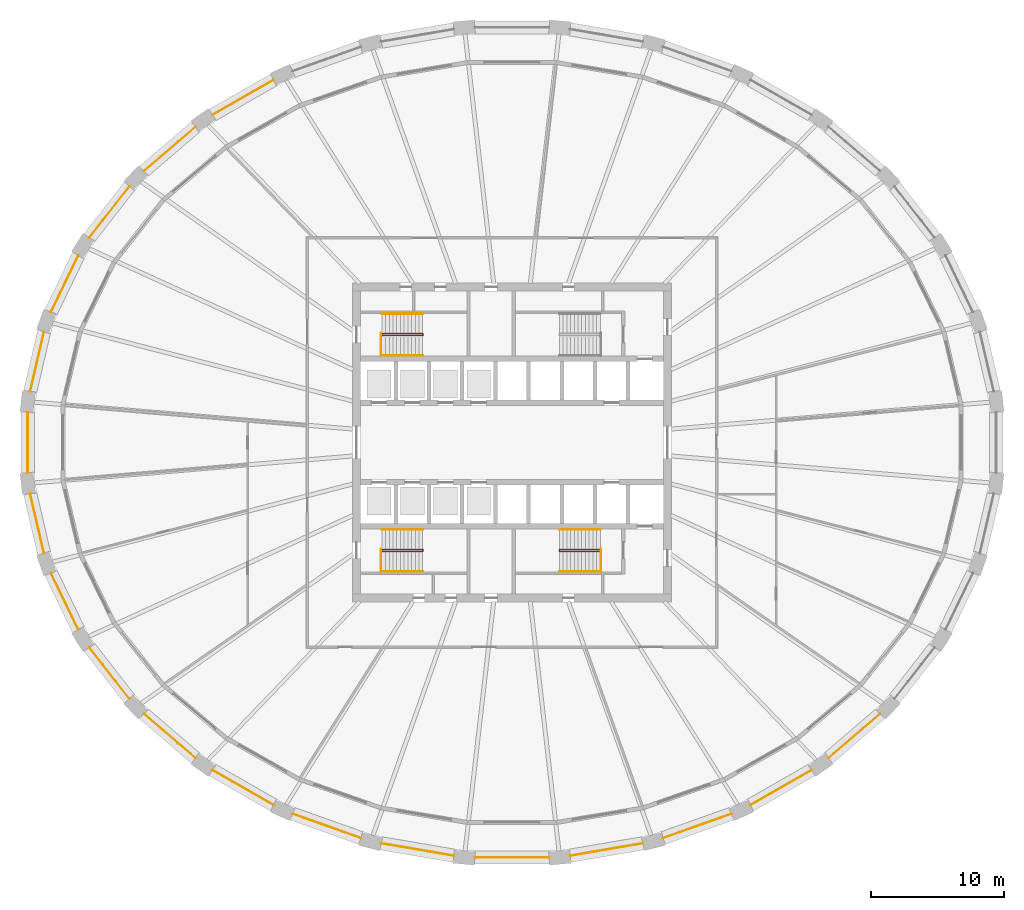
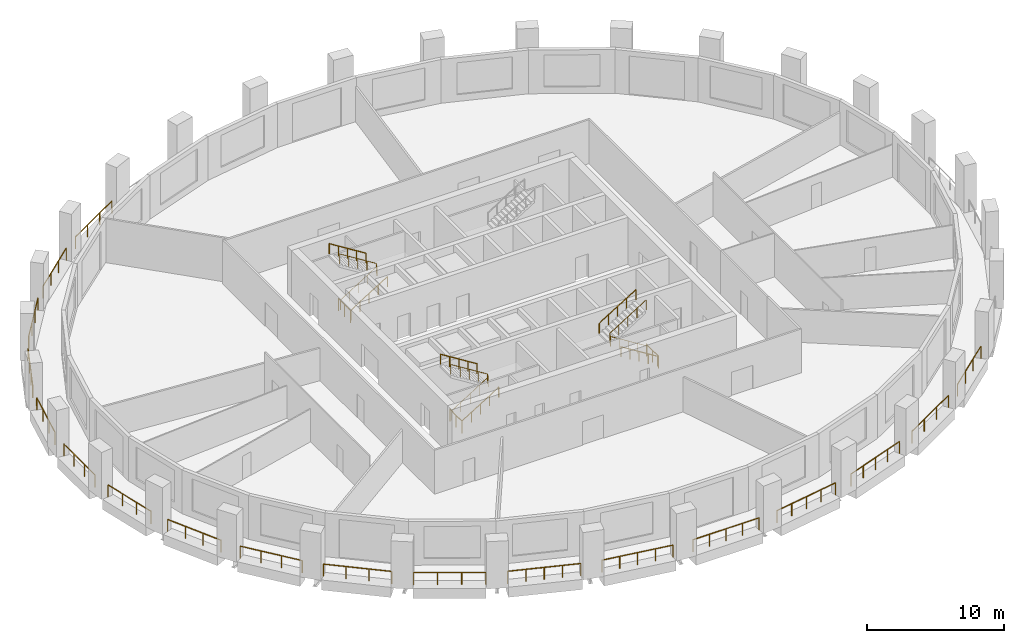
# One storey, part 9 of 11: 30 railings.
"""IFC4 building model written with IfcOpenShell, lengths in metres."""

from ifc_helpers import new_model, si_unit, direction, frame, origin, origin_2d, place, context, subcontext, project, spatial, circle, extrude, material, type_object, element, save


model = new_model("IFC4")

# Units and contexts
model_context = context("Model", 3, precision=1e-05, world=origin(), true_north=direction((0.0, 1.0)))
body_context = subcontext(model_context, "Body", "Model", "MODEL_VIEW")
ifc_project = project(units=[si_unit("LENGTHUNIT", "METRE"), si_unit("AREAUNIT", "SQUARE_METRE"), si_unit("VOLUMEUNIT", "CUBIC_METRE"), si_unit("PLANEANGLEUNIT", "RADIAN"), si_unit("MASSUNIT", "GRAM", prefix="KILO")], contexts=[model_context])

# Site, building, storey
site_placement = place(None, origin())
site = spatial("IfcSite", under=ifc_project, at=site_placement, CompositionType="ELEMENT")
building_placement = place(site_placement, origin())
building = spatial("IfcBuilding", under=site, at=building_placement, Name="Halqa Exchange Tower", CompositionType="ELEMENT")
storey_placement = place(building_placement, frame((0.0, 0.0, 78.10009765625)))
storey = spatial("IfcBuildingStorey", under=building, at=storey_placement, Name="L17", CompositionType="ELEMENT", Elevation=78.10009765625)

# Railings
ifc_material = material(Name="Stainless steel", Category="steel")
railing_type_1 = type_object("IfcRailingType", Name="Guard 1100 stainless steel", PredefinedType="GUARDRAIL", material=ifc_material)
railing_1_placement = place(storey_placement, frame((-17.962158203125, 27.29345703125, 0.0)))
element("IfcRailing", 1, at=railing_1_placement, inside=storey, type_object=railing_type_1, Name="Loggia guard 11", PredefinedType="GUARDRAIL", context=body_context, shape_type="SweptSolid", body=[
    extrude(circle(Radius=0.02392578125, at=origin_2d()), frame((0.0, 0.0, 1.076171875), z_axis=(-0.867759080411, -0.496985088674, 0.0), x_axis=(0.496985088674, -0.867759080411, 0.0)), (0.0, 0.0, 1.0), 5.28076171875),
    extrude(circle(Radius=0.02099609375, at=origin_2d()), origin(), (0.0, 0.0, 1.0), 1.052001953125),
    extrude(circle(Radius=0.02099609375, at=origin_2d()), frame((-1.527587890625, -0.874755859375, 0.0)), (0.0, 0.0, 1.0), 1.052001953125),
    extrude(circle(Radius=0.02099609375, at=origin_2d()), frame((-3.054931640625, -1.749755859375, 0.0)), (0.0, 0.0, 1.0), 1.052001953125),
    extrude(circle(Radius=0.02099609375, at=origin_2d()), frame((-4.58251953125, -2.62451171875, 0.0)), (0.0, 0.0, 1.0), 1.052001953125),
])
railing_2_placement = place(storey_placement, frame((-23.84619140625, 23.750732421875, 0.0)))
element("IfcRailing", 2, at=railing_2_placement, inside=storey, type_object=railing_type_1, Name="Loggia guard 12", PredefinedType="GUARDRAIL", context=body_context, shape_type="SweptSolid", body=[
    extrude(circle(Radius=0.02392578125, at=origin_2d()), frame((0.0, 0.0, 1.076171875), z_axis=(-0.759270150969, -0.650775566419, 0.0), x_axis=(0.650775566419, -0.759270150969, 0.0)), (0.0, 0.0, 1.0), 5.087890625),
    extrude(circle(Radius=0.02099609375, at=origin_2d()), origin(), (0.0, 0.0, 1.0), 1.052001953125),
    extrude(circle(Radius=0.02099609375, at=origin_2d()), frame((-1.28759765625, -1.103759765625, 0.0)), (0.0, 0.0, 1.0), 1.052001953125),
    extrude(circle(Radius=0.02099609375, at=origin_2d()), frame((-2.575439453125, -2.207275390625, 0.0)), (0.0, 0.0, 1.0), 1.052001953125),
    extrude(circle(Radius=0.02099609375, at=origin_2d()), frame((-3.863037109375, -3.31103515625, 0.0)), (0.0, 0.0, 1.0), 1.052001953125),
])
railing_3_placement = place(storey_placement, frame((-28.80859375, 19.2880859375, 0.0)))
element("IfcRailing", 3, at=railing_3_placement, inside=storey, type_object=railing_type_1, Name="Loggia guard 13", PredefinedType="GUARDRAIL", context=body_context, shape_type="SweptSolid", body=[
    extrude(circle(Radius=0.02392578125, at=origin_2d()), frame((0.0, 0.0, 1.076171875), z_axis=(-0.614773449853, -0.788703750059, 0.0), x_axis=(0.788703750059, -0.614773449853, 0.0)), (0.0, 0.0, 1.0), 4.888916015625),
    extrude(circle(Radius=0.02099609375, at=origin_2d()), origin(), (0.0, 0.0, 1.0), 1.052001953125),
    extrude(circle(Radius=0.02099609375, at=origin_2d()), frame((-1.001953125, -1.285400390625, 0.0)), (0.0, 0.0, 1.0), 1.052001953125),
    extrude(circle(Radius=0.02099609375, at=origin_2d()), frame((-2.003662109375, -2.570556640625, 0.0)), (0.0, 0.0, 1.0), 1.052001953125),
    extrude(circle(Radius=0.02099609375, at=origin_2d()), frame((-3.005615234375, -3.85595703125, 0.0)), (0.0, 0.0, 1.0), 1.052001953125),
])
railing_4_placement = place(storey_placement, frame((-32.654296875, 14.080810546875, 0.0)))
element("IfcRailing", 4, at=railing_4_placement, inside=storey, type_object=railing_type_1, Name="Loggia guard 14", PredefinedType="GUARDRAIL", context=body_context, shape_type="SweptSolid", body=[
    extrude(circle(Radius=0.02392578125, at=origin_2d()), frame((0.0, 0.0, 1.076171875), z_axis=(-0.435121098841, -0.900371939447, 0.0), x_axis=(0.900371939447, -0.435121098841, 0.0)), (0.0, 0.0, 1.0), 4.7158203125),
    extrude(circle(Radius=0.02099609375, at=origin_2d()), origin(), (0.0, 0.0, 1.0), 1.052001953125),
    extrude(circle(Radius=0.02099609375, at=origin_2d()), frame((-0.68408203125, -1.415283203125, 0.0)), (0.0, 0.0, 1.0), 1.052001953125),
    extrude(circle(Radius=0.02099609375, at=origin_2d()), frame((-1.367919921875, -2.830810546875, 0.0)), (0.0, 0.0, 1.0), 1.052001953125),
    extrude(circle(Radius=0.02099609375, at=origin_2d()), frame((-2.052001953125, -4.24609375, 0.0)), (0.0, 0.0, 1.0), 1.052001953125),
])
railing_5_placement = place(storey_placement, frame((-35.235107421875, 8.335205078125, 0.0)))
element("IfcRailing", 5, at=railing_5_placement, inside=storey, type_object=railing_type_1, Name="Loggia guard 15", PredefinedType="GUARDRAIL", context=body_context, shape_type="SweptSolid", body=[
    extrude(circle(Radius=0.02392578125, at=origin_2d()), frame((0.0, 0.0, 1.076171875), z_axis=(-0.226069418953, -0.974111193763, 0.0), x_axis=(0.974111193763, -0.226069418953, 0.0)), (0.0, 0.0, 1.0), 4.59716796875),
    extrude(circle(Radius=0.02099609375, at=origin_2d()), origin(), (0.0, 0.0, 1.0), 1.052001953125),
    extrude(circle(Radius=0.02099609375, at=origin_2d()), frame((-0.346435546875, -1.49267578125, 0.0)), (0.0, 0.0, 1.0), 1.052001953125),
    extrude(circle(Radius=0.02099609375, at=origin_2d()), frame((-0.69287109375, -2.985595703125, 0.0)), (0.0, 0.0, 1.0), 1.052001953125),
    extrude(circle(Radius=0.02099609375, at=origin_2d()), frame((-1.039306640625, -4.478271484375, 0.0)), (0.0, 0.0, 1.0), 1.052001953125),
])
railing_6_placement = place(storey_placement, frame((-36.455078125, 2.277587890625, 0.0)))
element("IfcRailing", 6, at=railing_6_placement, inside=storey, type_object=railing_type_1, Name="Loggia guard 16", PredefinedType="GUARDRAIL", context=body_context, shape_type="SweptSolid", body=[
    extrude(circle(Radius=0.02392578125, at=origin_2d()), frame((0.0, 0.0, 1.076171875), z_axis=(0.0, -1.0, 0.0), x_axis=(1.0, 0.0, 0.0)), (0.0, 0.0, 1.0), 4.55517578125),
    extrude(circle(Radius=0.02099609375, at=origin_2d()), origin(), (0.0, 0.0, 1.0), 1.052001953125),
    extrude(circle(Radius=0.02099609375, at=origin_2d()), frame((0.0, -1.518310546875, 0.0)), (0.0, 0.0, 1.0), 1.052001953125),
    extrude(circle(Radius=0.02099609375, at=origin_2d()), frame((0.0, -3.036865234375, 0.0)), (0.0, 0.0, 1.0), 1.052001953125),
    extrude(circle(Radius=0.02099609375, at=origin_2d()), frame((0.0, -4.55517578125, 0.0)), (0.0, 0.0, 1.0), 1.052001953125),
])
railing_7_placement = place(storey_placement, frame((-36.2744140625, -3.85693359375, 0.0)))
element("IfcRailing", 7, at=railing_7_placement, inside=storey, type_object=railing_type_1, Name="Loggia guard 17", PredefinedType="GUARDRAIL", context=body_context, shape_type="SweptSolid", body=[
    extrude(circle(Radius=0.02392578125, at=origin_2d()), frame((0.0, 0.0, 1.076171875), z_axis=(0.226069418953, -0.974111193763, 0.0), x_axis=(0.974111193763, 0.226069418953, 0.0)), (0.0, 0.0, 1.0), 4.59716796875),
    extrude(circle(Radius=0.02099609375, at=origin_2d()), origin(), (0.0, 0.0, 1.0), 1.052001953125),
    extrude(circle(Radius=0.02099609375, at=origin_2d()), frame((0.346435546875, -1.49267578125, 0.0)), (0.0, 0.0, 1.0), 1.052001953125),
    extrude(circle(Radius=0.02099609375, at=origin_2d()), frame((0.69287109375, -2.985595703125, 0.0)), (0.0, 0.0, 1.0), 1.052001953125),
    extrude(circle(Radius=0.02099609375, at=origin_2d()), frame((1.039306640625, -4.478271484375, 0.0)), (0.0, 0.0, 1.0), 1.052001953125),
])
railing_8_placement = place(storey_placement, frame((-34.706298828125, -9.834716796875, 0.0)))
element("IfcRailing", 8, at=railing_8_placement, inside=storey, type_object=railing_type_1, Name="Loggia guard 18", PredefinedType="GUARDRAIL", context=body_context, shape_type="SweptSolid", body=[
    extrude(circle(Radius=0.02392578125, at=origin_2d()), frame((0.0, 0.0, 1.076171875), z_axis=(0.435121098841, -0.900371939447, 0.0), x_axis=(0.900371939447, 0.435121098841, 0.0)), (0.0, 0.0, 1.0), 4.7158203125),
    extrude(circle(Radius=0.02099609375, at=origin_2d()), origin(), (0.0, 0.0, 1.0), 1.052001953125),
    extrude(circle(Radius=0.02099609375, at=origin_2d()), frame((0.68408203125, -1.415283203125, 0.0)), (0.0, 0.0, 1.0), 1.052001953125),
    extrude(circle(Radius=0.02099609375, at=origin_2d()), frame((1.367919921875, -2.830810546875, 0.0)), (0.0, 0.0, 1.0), 1.052001953125),
    extrude(circle(Radius=0.02099609375, at=origin_2d()), frame((2.052001953125, -4.24609375, 0.0)), (0.0, 0.0, 1.0), 1.052001953125),
])
railing_9_placement = place(storey_placement, frame((-31.814208984375, -15.43212890625, 0.0)))
element("IfcRailing", 9, at=railing_9_placement, inside=storey, type_object=railing_type_1, Name="Loggia guard 19", PredefinedType="GUARDRAIL", context=body_context, shape_type="SweptSolid", body=[
    extrude(circle(Radius=0.02392578125, at=origin_2d()), frame((0.0, 0.0, 1.076171875), z_axis=(0.614773449853, -0.788703750059, 0.0), x_axis=(0.788703750059, 0.614773449853, 0.0)), (0.0, 0.0, 1.0), 4.888916015625),
    extrude(circle(Radius=0.02099609375, at=origin_2d()), origin(), (0.0, 0.0, 1.0), 1.052001953125),
    extrude(circle(Radius=0.02099609375, at=origin_2d()), frame((1.001953125, -1.285400390625, 0.0)), (0.0, 0.0, 1.0), 1.052001953125),
    extrude(circle(Radius=0.02099609375, at=origin_2d()), frame((2.003662109375, -2.570556640625, 0.0)), (0.0, 0.0, 1.0), 1.052001953125),
    extrude(circle(Radius=0.02099609375, at=origin_2d()), frame((3.005615234375, -3.85595703125, 0.0)), (0.0, 0.0, 1.0), 1.052001953125),
])
railing_10_placement = place(storey_placement, frame((-27.709228515625, -20.439697265625, 0.0)))
element("IfcRailing", 10, at=railing_10_placement, inside=storey, type_object=railing_type_1, Name="Loggia guard 20", PredefinedType="GUARDRAIL", context=body_context, shape_type="SweptSolid", body=[
    extrude(circle(Radius=0.02392578125, at=origin_2d()), frame((0.0, 0.0, 1.076171875), z_axis=(0.759270150969, -0.650775566419, 0.0), x_axis=(0.650775566419, 0.759270150969, 0.0)), (0.0, 0.0, 1.0), 5.087890625),
    extrude(circle(Radius=0.02099609375, at=origin_2d()), origin(), (0.0, 0.0, 1.0), 1.052001953125),
    extrude(circle(Radius=0.02099609375, at=origin_2d()), frame((1.28759765625, -1.103759765625, 0.0)), (0.0, 0.0, 1.0), 1.052001953125),
    extrude(circle(Radius=0.02099609375, at=origin_2d()), frame((2.575439453125, -2.207275390625, 0.0)), (0.0, 0.0, 1.0), 1.052001953125),
    extrude(circle(Radius=0.02099609375, at=origin_2d()), frame((3.863037109375, -3.31103515625, 0.0)), (0.0, 0.0, 1.0), 1.052001953125),
])
railing_11_placement = place(storey_placement, frame((-22.544677734375, -24.6689453125, 0.0)))
element("IfcRailing", 11, at=railing_11_placement, inside=storey, type_object=railing_type_1, Name="Loggia guard 21", PredefinedType="GUARDRAIL", context=body_context, shape_type="SweptSolid", body=[
    extrude(circle(Radius=0.02392578125, at=origin_2d()), frame((0.0, 0.0, 1.076171875), z_axis=(0.867759080411, -0.496985088674, 0.0), x_axis=(0.496985088674, 0.867759080411, 0.0)), (0.0, 0.0, 1.0), 5.28076171875),
    extrude(circle(Radius=0.02099609375, at=origin_2d()), origin(), (0.0, 0.0, 1.0), 1.052001953125),
    extrude(circle(Radius=0.02099609375, at=origin_2d()), frame((1.527587890625, -0.874755859375, 0.0)), (0.0, 0.0, 1.0), 1.052001953125),
    extrude(circle(Radius=0.02099609375, at=origin_2d()), frame((3.054931640625, -1.749755859375, 0.0)), (0.0, 0.0, 1.0), 1.052001953125),
    extrude(circle(Radius=0.02099609375, at=origin_2d()), frame((4.58251953125, -2.62451171875, 0.0)), (0.0, 0.0, 1.0), 1.052001953125),
])
railing_12_placement = place(storey_placement, frame((-16.51416015625, -27.958740234375, 0.0)))
element("IfcRailing", 12, at=railing_12_placement, inside=storey, type_object=railing_type_1, Name="Loggia guard 22", PredefinedType="GUARDRAIL", context=body_context, shape_type="SweptSolid", body=[
    extrude(circle(Radius=0.02392578125, at=origin_2d()), frame((0.0, 0.0, 1.076171875), z_axis=(0.94237481019, -0.334558988998, 0.0), x_axis=(0.334558988998, 0.94237481019, 0.0)), (0.0, 0.0, 1.0), 5.440185546875),
    extrude(circle(Radius=0.02099609375, at=origin_2d()), origin(), (0.0, 0.0, 1.0), 1.052001953125),
    extrude(circle(Radius=0.02099609375, at=origin_2d()), frame((1.28173828125, -0.455078125, 0.0)), (0.0, 0.0, 1.0), 1.052001953125),
    extrude(circle(Radius=0.02099609375, at=origin_2d()), frame((2.5634765625, -0.91015625, 0.0)), (0.0, 0.0, 1.0), 1.052001953125),
    extrude(circle(Radius=0.02099609375, at=origin_2d()), frame((3.844970703125, -1.364990234375, 0.0)), (0.0, 0.0, 1.0), 1.052001953125),
    extrude(circle(Radius=0.02099609375, at=origin_2d()), frame((5.126708984375, -1.820068359375, 0.0)), (0.0, 0.0, 1.0), 1.052001953125),
])
railing_13_placement = place(storey_placement, frame((-9.844970703125, -30.180908203125, 0.0)))
element("IfcRailing", 13, at=railing_13_placement, inside=storey, type_object=railing_type_1, Name="Loggia guard 23", PredefinedType="GUARDRAIL", context=body_context, shape_type="SweptSolid", body=[
    extrude(circle(Radius=0.02392578125, at=origin_2d()), frame((0.0, 0.0, 1.076171875), z_axis=(0.985775416456, -0.168067927667, 0.0), x_axis=(0.168067927667, 0.985775416456, 0.0)), (0.0, 0.0, 1.0), 5.544677734375),
    extrude(circle(Radius=0.02099609375, at=origin_2d()), origin(), (0.0, 0.0, 1.0), 1.052001953125),
    extrude(circle(Radius=0.02099609375, at=origin_2d()), frame((1.366455078125, -0.23291015625, 0.0)), (0.0, 0.0, 1.0), 1.052001953125),
    extrude(circle(Radius=0.02099609375, at=origin_2d()), frame((2.73291015625, -0.4658203125, 0.0)), (0.0, 0.0, 1.0), 1.052001953125),
    extrude(circle(Radius=0.02099609375, at=origin_2d()), frame((4.099365234375, -0.698974609375, 0.0)), (0.0, 0.0, 1.0), 1.052001953125),
    extrude(circle(Radius=0.02099609375, at=origin_2d()), frame((5.4658203125, -0.931884765625, 0.0)), (0.0, 0.0, 1.0), 1.052001953125),
])
railing_14_placement = place(storey_placement, frame((-2.79052734375, -31.247314453125, 0.0)))
element("IfcRailing", 14, at=railing_14_placement, inside=storey, type_object=railing_type_1, Name="Loggia guard 24", PredefinedType="GUARDRAIL", context=body_context, shape_type="SweptSolid", body=[
    extrude(circle(Radius=0.02392578125, at=origin_2d()), frame((0.0, 0.0, 1.076171875), z_axis=(1.0, 0.0, 0.0), x_axis=(0.0, 1.0, 0.0)), (0.0, 0.0, 1.0), 5.5810546875),
    extrude(circle(Radius=0.02099609375, at=origin_2d()), origin(), (0.0, 0.0, 1.0), 1.052001953125),
    extrude(circle(Radius=0.02099609375, at=origin_2d()), frame((1.395263671875, 0.0, 0.0)), (0.0, 0.0, 1.0), 1.052001953125),
    extrude(circle(Radius=0.02099609375, at=origin_2d()), frame((2.79052734375, 0.0, 0.0)), (0.0, 0.0, 1.0), 1.052001953125),
    extrude(circle(Radius=0.02099609375, at=origin_2d()), frame((4.185791015625, 0.0, 0.0)), (0.0, 0.0, 1.0), 1.052001953125),
    extrude(circle(Radius=0.02099609375, at=origin_2d()), frame((5.5810546875, 0.0, 0.0)), (0.0, 0.0, 1.0), 1.052001953125),
])
railing_15_placement = place(storey_placement, frame((4.379150390625, -31.11279296875, 0.0)))
element("IfcRailing", 15, at=railing_15_placement, inside=storey, type_object=railing_type_1, Name="Loggia guard 25", PredefinedType="GUARDRAIL", context=body_context, shape_type="SweptSolid", body=[
    extrude(circle(Radius=0.02392578125, at=origin_2d()), frame((0.0, 0.0, 1.076171875), z_axis=(0.985775416456, 0.168067927667, 0.0), x_axis=(-0.168067927667, 0.985775416456, 0.0)), (0.0, 0.0, 1.0), 5.544677734375),
    extrude(circle(Radius=0.02099609375, at=origin_2d()), origin(), (0.0, 0.0, 1.0), 1.052001953125),
    extrude(circle(Radius=0.02099609375, at=origin_2d()), frame((1.366455078125, 0.23291015625, 0.0)), (0.0, 0.0, 1.0), 1.052001953125),
    extrude(circle(Radius=0.02099609375, at=origin_2d()), frame((2.73291015625, 0.4658203125, 0.0)), (0.0, 0.0, 1.0), 1.052001953125),
    extrude(circle(Radius=0.02099609375, at=origin_2d()), frame((4.099365234375, 0.698974609375, 0.0)), (0.0, 0.0, 1.0), 1.052001953125),
    extrude(circle(Radius=0.02099609375, at=origin_2d()), frame((5.4658203125, 0.931884765625, 0.0)), (0.0, 0.0, 1.0), 1.052001953125),
])
railing_16_placement = place(storey_placement, frame((11.387451171875, -29.77880859375, 0.0)))
element("IfcRailing", 16, at=railing_16_placement, inside=storey, type_object=railing_type_1, Name="Loggia guard 26", PredefinedType="GUARDRAIL", context=body_context, shape_type="SweptSolid", body=[
    extrude(circle(Radius=0.02392578125, at=origin_2d()), frame((0.0, 0.0, 1.076171875), z_axis=(0.94237481019, 0.334558988998, 0.0), x_axis=(-0.334558988998, 0.94237481019, 0.0)), (0.0, 0.0, 1.0), 5.440185546875),
    extrude(circle(Radius=0.02099609375, at=origin_2d()), origin(), (0.0, 0.0, 1.0), 1.052001953125),
    extrude(circle(Radius=0.02099609375, at=origin_2d()), frame((1.28173828125, 0.455078125, 0.0)), (0.0, 0.0, 1.0), 1.052001953125),
    extrude(circle(Radius=0.02099609375, at=origin_2d()), frame((2.5634765625, 0.91015625, 0.0)), (0.0, 0.0, 1.0), 1.052001953125),
    extrude(circle(Radius=0.02099609375, at=origin_2d()), frame((3.844970703125, 1.364990234375, 0.0)), (0.0, 0.0, 1.0), 1.052001953125),
    extrude(circle(Radius=0.02099609375, at=origin_2d()), frame((5.126708984375, 1.820068359375, 0.0)), (0.0, 0.0, 1.0), 1.052001953125),
])
railing_17_placement = place(storey_placement, frame((17.962158203125, -27.29345703125, 0.0)))
element("IfcRailing", 17, at=railing_17_placement, inside=storey, type_object=railing_type_1, Name="Loggia guard 27", PredefinedType="GUARDRAIL", context=body_context, shape_type="SweptSolid", body=[
    extrude(circle(Radius=0.02392578125, at=origin_2d()), frame((0.0, 0.0, 1.076171875), z_axis=(0.867759080411, 0.496985088674, 0.0), x_axis=(-0.496985088674, 0.867759080411, 0.0)), (0.0, 0.0, 1.0), 5.28076171875),
    extrude(circle(Radius=0.02099609375, at=origin_2d()), origin(), (0.0, 0.0, 1.0), 1.052001953125),
    extrude(circle(Radius=0.02099609375, at=origin_2d()), frame((1.527587890625, 0.874755859375, 0.0)), (0.0, 0.0, 1.0), 1.052001953125),
    extrude(circle(Radius=0.02099609375, at=origin_2d()), frame((3.054931640625, 1.749755859375, 0.0)), (0.0, 0.0, 1.0), 1.052001953125),
    extrude(circle(Radius=0.02099609375, at=origin_2d()), frame((4.58251953125, 2.62451171875, 0.0)), (0.0, 0.0, 1.0), 1.052001953125),
])
railing_18_placement = place(storey_placement, frame((23.84619140625, -23.750732421875, 0.0)))
element("IfcRailing", 18, at=railing_18_placement, inside=storey, type_object=railing_type_1, Name="Loggia guard 28", PredefinedType="GUARDRAIL", context=body_context, shape_type="SweptSolid", body=[
    extrude(circle(Radius=0.02392578125, at=origin_2d()), frame((0.0, 0.0, 1.076171875), z_axis=(0.759270150969, 0.650775566419, 0.0), x_axis=(-0.650775566419, 0.759270150969, 0.0)), (0.0, 0.0, 1.0), 5.087890625),
    extrude(circle(Radius=0.02099609375, at=origin_2d()), origin(), (0.0, 0.0, 1.0), 1.052001953125),
    extrude(circle(Radius=0.02099609375, at=origin_2d()), frame((1.28759765625, 1.103759765625, 0.0)), (0.0, 0.0, 1.0), 1.052001953125),
    extrude(circle(Radius=0.02099609375, at=origin_2d()), frame((2.575439453125, 2.207275390625, 0.0)), (0.0, 0.0, 1.0), 1.052001953125),
    extrude(circle(Radius=0.02099609375, at=origin_2d()), frame((3.863037109375, 3.31103515625, 0.0)), (0.0, 0.0, 1.0), 1.052001953125),
])
railing_type_2 = type_object("IfcRailingType", Name="Stair handrail 900", PredefinedType="HANDRAIL", material=ifc_material)
railing_19_placement = place(storey_placement, frame((-9.800048828125, 8.06005859375, 0.1748046875)))
element("IfcRailing", 19, at=railing_19_placement, inside=storey, type_object=railing_type_2, Name="Handrail ST1.1", PredefinedType="HANDRAIL", context=body_context, shape_type="SweptSolid", body=[
    extrude(circle(Radius=0.02392578125, at=origin_2d()), frame((0.0, 0.0, 0.8759765625), z_axis=(0.847998304005, 0.0, 0.529998940003), x_axis=(0.0, 1.0, 0.0)), (0.0, 0.0, 1.0), 3.632080078125),
    extrude(circle(Radius=0.02392578125, at=origin_2d()), frame((3.080078125, 0.0, 2.80078125), z_axis=(0.0, 0.595870227118, 0.803080738428), x_axis=(-1.0, 0.0, 0.0)), (0.0, 0.0, 1.0), 0.218017578125),
    extrude(circle(Radius=0.02392578125, at=origin_2d()), frame((3.080078125, 0.1298828125, 2.97607421875), z_axis=(-0.847998304005, 0.0, 0.529998940003), x_axis=(0.0, -1.0, 0.0)), (0.0, 0.0, 1.0), 3.632080078125),
    extrude(circle(Radius=0.02099609375, at=origin_2d()), origin(), (0.0, 0.0, 1.0), 0.851806640625),
    extrude(circle(Radius=0.02099609375, at=origin_2d()), frame((0.77001953125, 0.0, 0.481201171875)), (0.0, 0.0, 1.0), 0.851806640625),
    extrude(circle(Radius=0.02099609375, at=origin_2d()), frame((1.5400390625, 0.0, 0.96240234375)), (0.0, 0.0, 1.0), 0.851806640625),
    extrude(circle(Radius=0.02099609375, at=origin_2d()), frame((2.31005859375, 0.0, 1.44384765625)), (0.0, 0.0, 1.0), 0.851806640625),
    extrude(circle(Radius=0.02099609375, at=origin_2d()), frame((3.080078125, 0.0, 1.925048828125)), (0.0, 0.0, 1.0), 0.851806640625),
    extrude(circle(Radius=0.02099609375, at=origin_2d()), frame((3.080078125, 0.1298828125, 2.10009765625)), (0.0, 0.0, 1.0), 0.851806640625),
    extrude(circle(Radius=0.02099609375, at=origin_2d()), frame((2.31005859375, 0.1298828125, 2.581298828125)), (0.0, 0.0, 1.0), 0.851806640625),
    extrude(circle(Radius=0.02099609375, at=origin_2d()), frame((1.5400390625, 0.1298828125, 3.0625)), (0.0, 0.0, 1.0), 0.851806640625),
    extrude(circle(Radius=0.02099609375, at=origin_2d()), frame((0.77001953125, 0.1298828125, 3.5439453125)), (0.0, 0.0, 1.0), 0.851806640625),
    extrude(circle(Radius=0.02099609375, at=origin_2d()), frame((0.0, 0.1298828125, 4.025146484375)), (0.0, 0.0, 1.0), 0.851806640625),
])
railing_20_placement = place(storey_placement, frame((-9.800048828125, 6.550048828125, 0.1748046875)))
element("IfcRailing", 20, at=railing_20_placement, inside=storey, type_object=railing_type_2, Name="Handrail ST1.2", PredefinedType="HANDRAIL", context=body_context, shape_type="SweptSolid", body=[
    extrude(circle(Radius=0.02392578125, at=origin_2d()), frame((0.0, 0.0, 0.8759765625), z_axis=(0.847998304005, 0.0, 0.529998940003), x_axis=(0.0, 1.0, 0.0)), (0.0, 0.0, 1.0), 3.632080078125),
    extrude(circle(Radius=0.02099609375, at=origin_2d()), origin(), (0.0, 0.0, 1.0), 0.851806640625),
    extrude(circle(Radius=0.02099609375, at=origin_2d()), frame((0.77001953125, 0.0, 0.481201171875)), (0.0, 0.0, 1.0), 0.851806640625),
    extrude(circle(Radius=0.02099609375, at=origin_2d()), frame((1.5400390625, 0.0, 0.96240234375)), (0.0, 0.0, 1.0), 0.851806640625),
    extrude(circle(Radius=0.02099609375, at=origin_2d()), frame((2.31005859375, 0.0, 1.44384765625)), (0.0, 0.0, 1.0), 0.851806640625),
    extrude(circle(Radius=0.02099609375, at=origin_2d()), frame((3.080078125, 0.0, 1.925048828125)), (0.0, 0.0, 1.0), 0.851806640625),
])
railing_21_placement = place(storey_placement, frame((-6.719970703125, 9.699951171875, 2.27490234375)))
element("IfcRailing", 21, at=railing_21_placement, inside=storey, type_object=railing_type_2, Name="Handrail ST1.3", PredefinedType="HANDRAIL", context=body_context, shape_type="SweptSolid", body=[
    extrude(circle(Radius=0.02392578125, at=origin_2d()), frame((0.0, 0.0, 0.8759765625), z_axis=(-0.847998304005, 0.0, 0.529998940003), x_axis=(0.0, -1.0, 0.0)), (0.0, 0.0, 1.0), 3.632080078125),
    extrude(circle(Radius=0.02099609375, at=origin_2d()), origin(), (0.0, 0.0, 1.0), 0.851806640625),
    extrude(circle(Radius=0.02099609375, at=origin_2d()), frame((-0.77001953125, 0.0, 0.481201171875)), (0.0, 0.0, 1.0), 0.851806640625),
    extrude(circle(Radius=0.02099609375, at=origin_2d()), frame((-1.5400390625, 0.0, 0.96240234375)), (0.0, 0.0, 1.0), 0.851806640625),
    extrude(circle(Radius=0.02099609375, at=origin_2d()), frame((-2.31005859375, 0.0, 1.44384765625)), (0.0, 0.0, 1.0), 0.851806640625),
    extrude(circle(Radius=0.02099609375, at=origin_2d()), frame((-3.080078125, 0.0, 1.925048828125)), (0.0, 0.0, 1.0), 0.851806640625),
])
railing_22_placement = place(storey_placement, frame((-9.800048828125, -8.18994140625, 0.1748046875)))
element("IfcRailing", 22, at=railing_22_placement, inside=storey, type_object=railing_type_2, Name="Handrail ST3.1", PredefinedType="HANDRAIL", context=body_context, shape_type="SweptSolid", body=[
    extrude(circle(Radius=0.02392578125, at=origin_2d()), frame((0.0, 0.0, 0.8759765625), z_axis=(0.847998304005, 0.0, 0.529998940003), x_axis=(0.0, 1.0, 0.0)), (0.0, 0.0, 1.0), 3.632080078125),
    extrude(circle(Radius=0.02392578125, at=origin_2d()), frame((3.080078125, 0.0, 2.80078125), z_axis=(0.0, 0.595870227118, 0.803080738428), x_axis=(-1.0, 0.0, 0.0)), (0.0, 0.0, 1.0), 0.218017578125),
    extrude(circle(Radius=0.02392578125, at=origin_2d()), frame((3.080078125, 0.1298828125, 2.97607421875), z_axis=(-0.847998304005, 0.0, 0.529998940003), x_axis=(0.0, -1.0, 0.0)), (0.0, 0.0, 1.0), 3.632080078125),
    extrude(circle(Radius=0.02099609375, at=origin_2d()), origin(), (0.0, 0.0, 1.0), 0.851806640625),
    extrude(circle(Radius=0.02099609375, at=origin_2d()), frame((0.77001953125, 0.0, 0.481201171875)), (0.0, 0.0, 1.0), 0.851806640625),
    extrude(circle(Radius=0.02099609375, at=origin_2d()), frame((1.5400390625, 0.0, 0.96240234375)), (0.0, 0.0, 1.0), 0.851806640625),
    extrude(circle(Radius=0.02099609375, at=origin_2d()), frame((2.31005859375, 0.0, 1.44384765625)), (0.0, 0.0, 1.0), 0.851806640625),
    extrude(circle(Radius=0.02099609375, at=origin_2d()), frame((3.080078125, 0.0, 1.925048828125)), (0.0, 0.0, 1.0), 0.851806640625),
    extrude(circle(Radius=0.02099609375, at=origin_2d()), frame((3.080078125, 0.1298828125, 2.10009765625)), (0.0, 0.0, 1.0), 0.851806640625),
    extrude(circle(Radius=0.02099609375, at=origin_2d()), frame((2.31005859375, 0.1298828125, 2.581298828125)), (0.0, 0.0, 1.0), 0.851806640625),
    extrude(circle(Radius=0.02099609375, at=origin_2d()), frame((1.5400390625, 0.1298828125, 3.0625)), (0.0, 0.0, 1.0), 0.851806640625),
    extrude(circle(Radius=0.02099609375, at=origin_2d()), frame((0.77001953125, 0.1298828125, 3.5439453125)), (0.0, 0.0, 1.0), 0.851806640625),
    extrude(circle(Radius=0.02099609375, at=origin_2d()), frame((0.0, 0.1298828125, 4.025146484375)), (0.0, 0.0, 1.0), 0.851806640625),
])
railing_23_placement = place(storey_placement, frame((-9.800048828125, -9.699951171875, 0.1748046875)))
element("IfcRailing", 23, at=railing_23_placement, inside=storey, type_object=railing_type_2, Name="Handrail ST3.2", PredefinedType="HANDRAIL", context=body_context, shape_type="SweptSolid", body=[
    extrude(circle(Radius=0.02392578125, at=origin_2d()), frame((0.0, 0.0, 0.8759765625), z_axis=(0.847998304005, 0.0, 0.529998940003), x_axis=(0.0, 1.0, 0.0)), (0.0, 0.0, 1.0), 3.632080078125),
    extrude(circle(Radius=0.02099609375, at=origin_2d()), origin(), (0.0, 0.0, 1.0), 0.851806640625),
    extrude(circle(Radius=0.02099609375, at=origin_2d()), frame((0.77001953125, 0.0, 0.481201171875)), (0.0, 0.0, 1.0), 0.851806640625),
    extrude(circle(Radius=0.02099609375, at=origin_2d()), frame((1.5400390625, 0.0, 0.96240234375)), (0.0, 0.0, 1.0), 0.851806640625),
    extrude(circle(Radius=0.02099609375, at=origin_2d()), frame((2.31005859375, 0.0, 1.44384765625)), (0.0, 0.0, 1.0), 0.851806640625),
    extrude(circle(Radius=0.02099609375, at=origin_2d()), frame((3.080078125, 0.0, 1.925048828125)), (0.0, 0.0, 1.0), 0.851806640625),
])
railing_24_placement = place(storey_placement, frame((-6.719970703125, -6.550048828125, 2.27490234375)))
element("IfcRailing", 24, at=railing_24_placement, inside=storey, type_object=railing_type_2, Name="Handrail ST3.3", PredefinedType="HANDRAIL", context=body_context, shape_type="SweptSolid", body=[
    extrude(circle(Radius=0.02392578125, at=origin_2d()), frame((0.0, 0.0, 0.8759765625), z_axis=(-0.847998304005, 0.0, 0.529998940003), x_axis=(0.0, -1.0, 0.0)), (0.0, 0.0, 1.0), 3.632080078125),
    extrude(circle(Radius=0.02099609375, at=origin_2d()), origin(), (0.0, 0.0, 1.0), 0.851806640625),
    extrude(circle(Radius=0.02099609375, at=origin_2d()), frame((-0.77001953125, 0.0, 0.481201171875)), (0.0, 0.0, 1.0), 0.851806640625),
    extrude(circle(Radius=0.02099609375, at=origin_2d()), frame((-1.5400390625, 0.0, 0.96240234375)), (0.0, 0.0, 1.0), 0.851806640625),
    extrude(circle(Radius=0.02099609375, at=origin_2d()), frame((-2.31005859375, 0.0, 1.44384765625)), (0.0, 0.0, 1.0), 0.851806640625),
    extrude(circle(Radius=0.02099609375, at=origin_2d()), frame((-3.080078125, 0.0, 1.925048828125)), (0.0, 0.0, 1.0), 0.851806640625),
])
railing_25_placement = place(storey_placement, frame((6.64990234375, -8.18994140625, 0.1748046875)))
element("IfcRailing", 25, at=railing_25_placement, inside=storey, type_object=railing_type_2, Name="Handrail ST4.1", PredefinedType="HANDRAIL", context=body_context, shape_type="SweptSolid", body=[
    extrude(circle(Radius=0.02392578125, at=origin_2d()), frame((0.0, 0.0, 0.8759765625), z_axis=(-0.847979421464, 0.0, 0.530029150871), x_axis=(0.0, -1.0, 0.0)), (0.0, 0.0, 1.0), 3.632080078125),
    extrude(circle(Radius=0.02392578125, at=origin_2d()), frame((-3.079833984375, 0.0, 2.80078125), z_axis=(0.0, 0.595870227118, 0.803080738428), x_axis=(-1.0, 0.0, 0.0)), (0.0, 0.0, 1.0), 0.218017578125),
    extrude(circle(Radius=0.02392578125, at=origin_2d()), frame((-3.079833984375, 0.1298828125, 2.97607421875), z_axis=(0.847979421464, 0.0, 0.530029150871), x_axis=(0.0, 1.0, 0.0)), (0.0, 0.0, 1.0), 3.632080078125),
    extrude(circle(Radius=0.02099609375, at=origin_2d()), origin(), (0.0, 0.0, 1.0), 0.851806640625),
    extrude(circle(Radius=0.02099609375, at=origin_2d()), frame((-0.77001953125, 0.0, 0.481201171875)), (0.0, 0.0, 1.0), 0.851806640625),
    extrude(circle(Radius=0.02099609375, at=origin_2d()), frame((-1.5400390625, 0.0, 0.96240234375)), (0.0, 0.0, 1.0), 0.851806640625),
    extrude(circle(Radius=0.02099609375, at=origin_2d()), frame((-2.309814453125, 0.0, 1.44384765625)), (0.0, 0.0, 1.0), 0.851806640625),
    extrude(circle(Radius=0.02099609375, at=origin_2d()), frame((-3.079833984375, 0.0, 1.925048828125)), (0.0, 0.0, 1.0), 0.851806640625),
    extrude(circle(Radius=0.02099609375, at=origin_2d()), frame((-3.079833984375, 0.1298828125, 2.10009765625)), (0.0, 0.0, 1.0), 0.851806640625),
    extrude(circle(Radius=0.02099609375, at=origin_2d()), frame((-2.309814453125, 0.1298828125, 2.581298828125)), (0.0, 0.0, 1.0), 0.851806640625),
    extrude(circle(Radius=0.02099609375, at=origin_2d()), frame((-1.5400390625, 0.1298828125, 3.0625)), (0.0, 0.0, 1.0), 0.851806640625),
    extrude(circle(Radius=0.02099609375, at=origin_2d()), frame((-0.77001953125, 0.1298828125, 3.5439453125)), (0.0, 0.0, 1.0), 0.851806640625),
    extrude(circle(Radius=0.02099609375, at=origin_2d()), frame((0.0, 0.1298828125, 4.025146484375)), (0.0, 0.0, 1.0), 0.851806640625),
])
railing_26_placement = place(storey_placement, frame((6.64990234375, -9.699951171875, 0.1748046875)))
element("IfcRailing", 26, at=railing_26_placement, inside=storey, type_object=railing_type_2, Name="Handrail ST4.2", PredefinedType="HANDRAIL", context=body_context, shape_type="SweptSolid", body=[
    extrude(circle(Radius=0.02392578125, at=origin_2d()), frame((0.0, 0.0, 0.8759765625), z_axis=(-0.847979421464, 0.0, 0.530029150871), x_axis=(0.0, -1.0, 0.0)), (0.0, 0.0, 1.0), 3.632080078125),
    extrude(circle(Radius=0.02099609375, at=origin_2d()), origin(), (0.0, 0.0, 1.0), 0.851806640625),
    extrude(circle(Radius=0.02099609375, at=origin_2d()), frame((-0.77001953125, 0.0, 0.481201171875)), (0.0, 0.0, 1.0), 0.851806640625),
    extrude(circle(Radius=0.02099609375, at=origin_2d()), frame((-1.5400390625, 0.0, 0.96240234375)), (0.0, 0.0, 1.0), 0.851806640625),
    extrude(circle(Radius=0.02099609375, at=origin_2d()), frame((-2.309814453125, 0.0, 1.44384765625)), (0.0, 0.0, 1.0), 0.851806640625),
    extrude(circle(Radius=0.02099609375, at=origin_2d()), frame((-3.079833984375, 0.0, 1.925048828125)), (0.0, 0.0, 1.0), 0.851806640625),
])
railing_27_placement = place(storey_placement, frame((3.570068359375, -6.550048828125, 2.27490234375)))
element("IfcRailing", 27, at=railing_27_placement, inside=storey, type_object=railing_type_2, Name="Handrail ST4.3", PredefinedType="HANDRAIL", context=body_context, shape_type="SweptSolid", body=[
    extrude(circle(Radius=0.02392578125, at=origin_2d()), frame((0.0, 0.0, 0.8759765625), z_axis=(0.847979421464, 0.0, 0.530029150871), x_axis=(0.0, 1.0, 0.0)), (0.0, 0.0, 1.0), 3.632080078125),
    extrude(circle(Radius=0.02099609375, at=origin_2d()), origin(), (0.0, 0.0, 1.0), 0.851806640625),
    extrude(circle(Radius=0.02099609375, at=origin_2d()), frame((0.77001953125, 0.0, 0.481201171875)), (0.0, 0.0, 1.0), 0.851806640625),
    extrude(circle(Radius=0.02099609375, at=origin_2d()), frame((1.5400390625, 0.0, 0.96240234375)), (0.0, 0.0, 1.0), 0.851806640625),
    extrude(circle(Radius=0.02099609375, at=origin_2d()), frame((2.309814453125, 0.0, 1.44384765625)), (0.0, 0.0, 1.0), 0.851806640625),
    extrude(circle(Radius=0.02099609375, at=origin_2d()), frame((3.079833984375, 0.0, 1.925048828125)), (0.0, 0.0, 1.0), 0.851806640625),
])
railing_type_3 = type_object("IfcRailingType", Name="Stair well guard 1100", PredefinedType="GUARDRAIL", material=ifc_material)
for number, where, name in (
    (28, (-9.85009765625, 6.5, 0.0), "Guard ST1 well"),
    (29, (-9.85009765625, -9.75, 0.0), "Guard ST3 well"),
    (30, (6.699951171875, -9.75, 0.0), "Guard ST4 well"),
):
    element("IfcRailing", number, at=place(storey_placement, frame(where)), inside=storey, type_object=railing_type_3, Name=name, PredefinedType="GUARDRAIL", context=body_context, shape_type="SweptSolid", body=[
        extrude(circle(Radius=0.02392578125, at=origin_2d()), frame((0.0, 0.0, 1.076171875), z_axis=(0.0, 1.0, 0.0), x_axis=(-1.0, 0.0, 0.0)), (0.0, 0.0, 1.0), 1.75),
        extrude(circle(Radius=0.02099609375, at=origin_2d()), origin(), (0.0, 0.0, 1.0), 1.052001953125),
        extrude(circle(Radius=0.02099609375, at=origin_2d()), frame((0.0, 0.875, 0.0)), (0.0, 0.0, 1.0), 1.052001953125),
        extrude(circle(Radius=0.02099609375, at=origin_2d()), frame((0.0, 1.75, 0.0)), (0.0, 0.0, 1.0), 1.052001953125),
    ])

save(model, "model.ifc")
